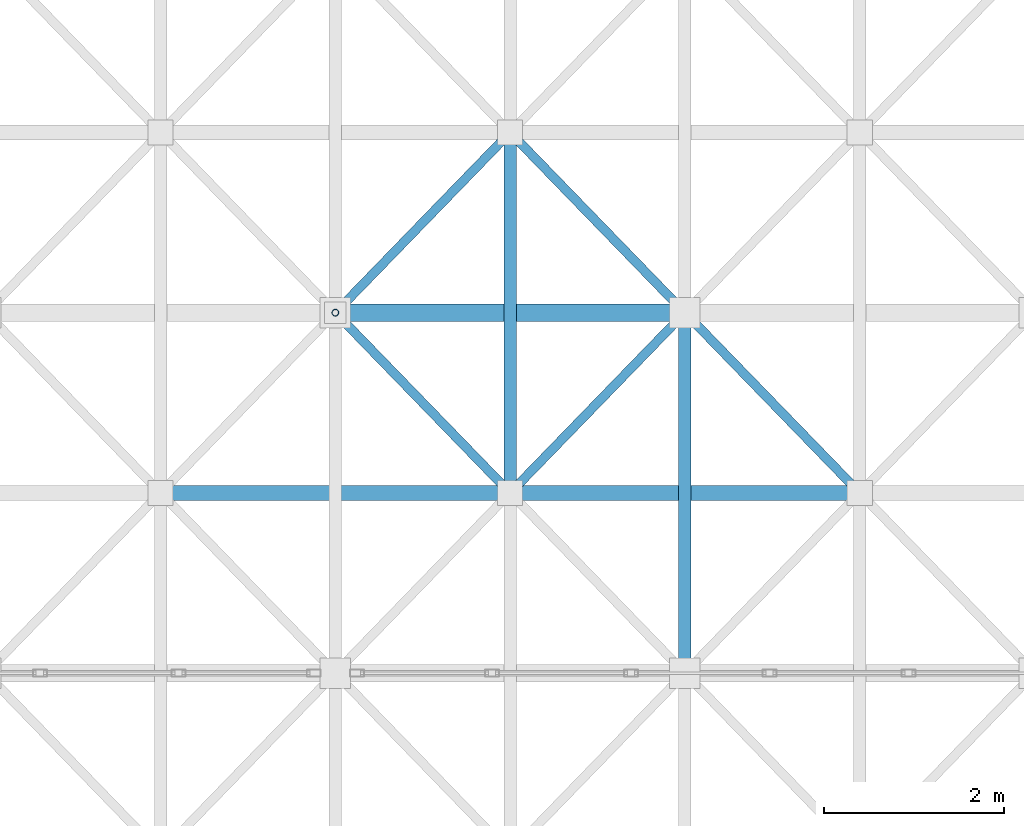
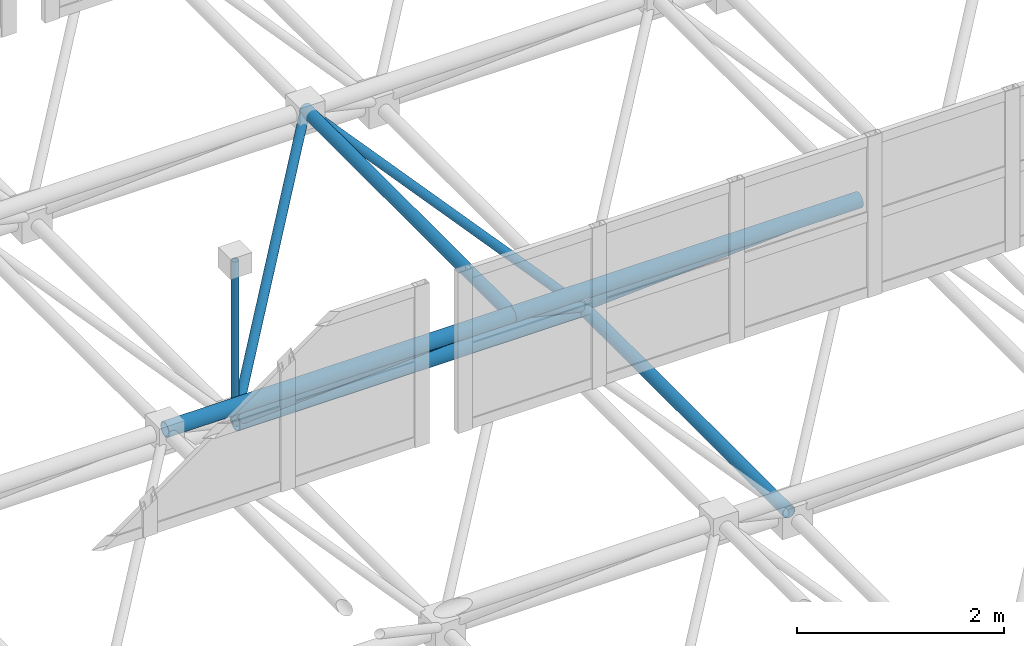
# One storey, part 86 of 195: 11 members.
"""IFC4 building model written with IfcOpenShell, lengths in metres."""

from ifc_helpers import new_model, si_unit, direction, frame, origin, origin_2d, place, context, subcontext, project, spatial, hollow_circle, extrude, material, material_profile, profile_set, type_object, element, save


model = new_model("IFC4")

# Units and contexts
model_context = context("Model", 3, precision=1e-05, world=origin(), true_north=direction((0.0, 1.0)))
body_context = subcontext(model_context, "Body", "Model", "MODEL_VIEW")
ifc_project = project(units=[si_unit("LENGTHUNIT", "METRE"), si_unit("AREAUNIT", "SQUARE_METRE"), si_unit("VOLUMEUNIT", "CUBIC_METRE"), si_unit("PLANEANGLEUNIT", "RADIAN"), si_unit("MASSUNIT", "GRAM", prefix="KILO")], contexts=[model_context])

# Site, building, storey
site_placement = place(None, origin())
site = spatial("IfcSite", under=ifc_project, at=site_placement, CompositionType="ELEMENT")
building_placement = place(site_placement, origin())
building = spatial("IfcBuilding", under=site, at=building_placement, Name="Kharva Crest Polytechnic", CompositionType="ELEMENT")
storey_placement = place(building_placement, frame((0.0, 0.0, 9.0)))
storey = spatial("IfcBuildingStorey", under=building, at=storey_placement, Name="L02", CompositionType="ELEMENT", Elevation=9.0)

# Members
ifc_material = material(Name="Steel S355", Category="steel")
ifc_material_profile_1 = material_profile(ifc_material, hollow_circle(Radius=0.05078125, WallThickness=0.0048828125, at=origin_2d()), Name="CHS 101.6X5.0")
ifc_profile_set_1 = profile_set([ifc_material_profile_1], Name="Steel S355")
member_type_1 = type_object("IfcMemberType", Name="MEM-CHS101", PredefinedType="BRACE", material=ifc_profile_set_1)
for number, where, z_axis, x_axis, name in (
    (1, (16.0, 66.800048828125, 0.60009765625), (0.584843378742, -0.602949529154, 0.542595694449), (0.717802189577, 0.696247094528, 0.0), "Space Frame Web Diagonal 699"),
    (2, (19.8798828125, 66.800048828125, 0.60009765625), (-0.584843378742, -0.602949529154, 0.542595694449), (0.717802189577, -0.696247094528, 0.0), "Space Frame Web Diagonal 700"),
    (3, (16.0, 66.800048828125, 0.60009765625), (0.584843378742, 0.602949529154, 0.542595694449), (-0.717802189577, 0.696247094528, 0.0), "Space Frame Web Diagonal 701"),
    (4, (19.8798828125, 66.800048828125, 0.60009765625), (-0.584843378742, 0.602949529154, 0.542595694449), (-0.717802189577, -0.696247094528, 0.0), "Space Frame Web Diagonal 702"),
    (5, (19.8798828125, 66.800048828125, 0.60009765625), (0.584891802813, -0.602923574763, 0.542572338032), (0.717758400015, 0.696292236929, 0.0), "Space Frame Web Diagonal 755"),
):
    element("IfcMember", number, at=place(storey_placement, frame(where, z_axis=z_axis, x_axis=x_axis)), inside=storey, type_object=member_type_1, Name=name, PredefinedType="BRACE", context=body_context, shape_type="SweptSolid", body=[
        extrude(hollow_circle(Radius=0.05078125, WallThickness=0.0048828125, at=origin_2d()), origin(), (0.0, 0.0, 1.0), 3.317138671875),
    ])
ifc_material_profile_2 = material_profile(ifc_material, hollow_circle(Radius=0.06982421875, WallThickness=0.00634765625, at=origin_2d()), Name="CHS 139.7X6.3")
ifc_profile_set_2 = profile_set([ifc_material_profile_2], Name="Steel S355")
member_type_2 = type_object("IfcMemberType", Name="MEM-CHS139", PredefinedType="CHORD", material=ifc_profile_set_2)
for number, where, z_axis, x_axis, name in (
    (6, (19.8798828125, 62.800048828125, 0.60009765625), (0.0, 1.0, 0.0), (-1.0, 0.0, 0.0), "Space Frame Bottom Chord Y 197"),
    (7, (17.93994140625, 64.800048828125, 2.39990234375), (0.0, 1.0, 0.0), (-1.0, 0.0, 0.0), "Space Frame Top Chord Y 403"),
):
    element("IfcMember", number, at=place(storey_placement, frame(where, z_axis=z_axis, x_axis=x_axis)), inside=storey, type_object=member_type_2, Name=name, PredefinedType="CHORD", context=body_context, shape_type="SweptSolid", body=[
        extrude(hollow_circle(Radius=0.06982421875, WallThickness=0.00634765625, at=origin_2d()), origin(), (0.0, 0.0, 1.0), 4.0),
    ])
ifc_material_profile_3 = material_profile(ifc_material, hollow_circle(Radius=0.084228515625, WallThickness=0.008056640625, at=origin_2d()), Name="CHS 168.3X8.0")
ifc_profile_set_3 = profile_set([ifc_material_profile_3], Name="Steel S355")
member_type_3 = type_object("IfcMemberType", Name="MEM-CHS168", PredefinedType="CHORD", material=ifc_profile_set_3)
member_1_placement = place(storey_placement, frame((14.06005859375, 64.800048828125, 2.39990234375), z_axis=(1.0, 0.0, 0.0), x_axis=(0.0, 1.0, 0.0)))
element("IfcMember", 8, at=member_1_placement, inside=storey, type_object=member_type_3, Name="Space Frame Top Chord X 292", PredefinedType="CHORD", context=body_context, shape_type="SweptSolid", body=[
    extrude(hollow_circle(Radius=0.084228515625, WallThickness=0.008056640625, at=origin_2d()), origin(), (0.0, 0.0, 1.0), 3.8798828125),
])
member_2_placement = place(storey_placement, frame((17.93994140625, 64.800048828125, 2.39990234375), z_axis=(1.0, 0.0, 0.0), x_axis=(0.0, 1.0, 0.0)))
element("IfcMember", 9, at=member_2_placement, inside=storey, type_object=member_type_3, Name="Space Frame Top Chord X 293", PredefinedType="CHORD", context=body_context, shape_type="SweptSolid", body=[
    extrude(hollow_circle(Radius=0.084228515625, WallThickness=0.008056640625, at=origin_2d()), origin(), (0.0, 0.0, 1.0), 3.880126953125),
])
ifc_material_profile_4 = material_profile(ifc_material, hollow_circle(Radius=0.096923828125, WallThickness=0.008056640625, at=origin_2d()), Name="CHS 193.7X8.0")
ifc_profile_set_4 = profile_set([ifc_material_profile_4], Name="Steel S355")
member_type_4 = type_object("IfcMemberType", Name="MEM-CHS193", PredefinedType="CHORD", material=ifc_profile_set_4)
member_3_placement = place(storey_placement, frame((16.0, 66.800048828125, 0.60009765625), z_axis=(1.0, 0.0, 0.0), x_axis=(0.0, 1.0, 0.0)))
element("IfcMember", 10, at=member_3_placement, inside=storey, type_object=member_type_4, Name="Space Frame Bottom Chord X 61", PredefinedType="CHORD", context=body_context, shape_type="SweptSolid", body=[
    extrude(hollow_circle(Radius=0.096923828125, WallThickness=0.008056640625, at=origin_2d()), origin(), (0.0, 0.0, 1.0), 3.8798828125),
])
ifc_material_profile_5 = material_profile(ifc_material, hollow_circle(Radius=0.0380859375, WallThickness=0.00390625, at=origin_2d()), Name="CHS 76.1X4.0")
ifc_profile_set_5 = profile_set([ifc_material_profile_5], Name="Steel S355")
member_type_5 = type_object("IfcMemberType", Name="MEM-CHS76-ST", PredefinedType="STRUT", material=ifc_profile_set_5)
member_4_placement = place(storey_placement, frame((16.0, 66.800048828125, 0.60009765625), z_axis=(0.0, 0.0, 1.0), x_axis=(1.0, 0.0, 0.0)))
element("IfcMember", 11, at=member_4_placement, inside=storey, type_object=member_type_5, Name="Space Frame Ridge Strut 7", PredefinedType="STRUT", context=body_context, shape_type="SweptSolid", body=[
    extrude(hollow_circle(Radius=0.0380859375, WallThickness=0.00390625, at=origin_2d()), origin(), (0.0, 0.0, 1.0), 1.911865234375),
])

save(model, "model.ifc")
